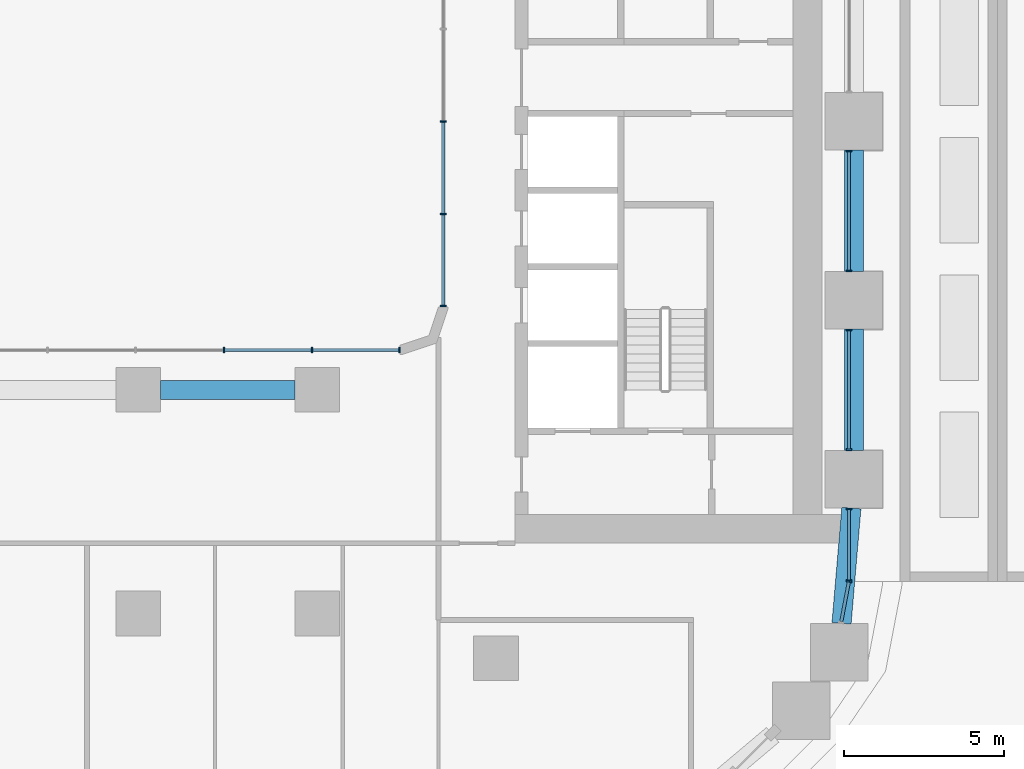
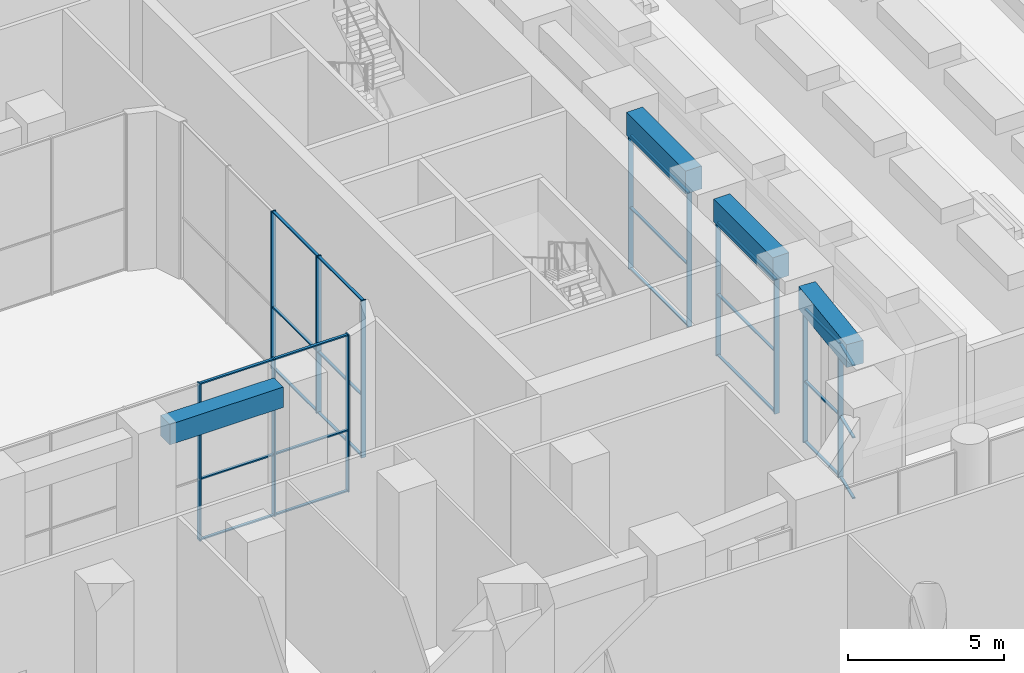
# One storey, part 17 of 51: 37 members, 4 beams, 6 elements without a shape of their own.
"""IFC4 building model written with IfcOpenShell, lengths in metres."""

import ifcopenshell
import ifcopenshell.guid

model = None  # the IFC model being written
_history = None  # IfcOwnerHistory: only IFC2X3 demands one
_inside = {}  # id of a spatial element -> (the spatial element, [elements in it])
_under = {}  # id of a project, library or spatial element -> (it, [spatial elements below it])
_declared = {}  # id of a project -> (the project, [libraries it declares])
_typed = {}  # id of a type object -> (the type object, [elements of that type])
_made_of = {}  # id of a material, layer set ... -> (it, [elements and type objects made of it])


def new_model(schema):
    """Start an empty IFC model of exactly this schema.

    Asked for "IFC4X3", IfcOpenShell would pick the latest addendum, in which some entities
    have other attributes; the version numbers below select the first issue.
    IFC2X3 requires an IfcOwnerHistory on every rooted entity: one is made here for all.
    """
    global model, _history
    if schema == "IFC4X3":
        model = ifcopenshell.file(schema_version=(4, 3, 0, 0))
    else:
        model = ifcopenshell.file(schema=schema)
    _inside.clear()
    _under.clear()
    _declared.clear()
    _typed.clear()
    _made_of.clear()
    _history = None
    if model.schema == "IFC2X3":
        org = make("IfcOrganization", Name="unknown")
        user = make(
            "IfcPersonAndOrganization",
            ThePerson=make("IfcPerson", FamilyName="unknown"),
            TheOrganization=org,
        )
        app = make(
            "IfcApplication",
            ApplicationDeveloper=org,
            Version="unknown",
            ApplicationFullName="unknown",
            ApplicationIdentifier="unknown",
        )
        _history = make(
            "IfcOwnerHistory",
            OwningUser=user,
            OwningApplication=app,
            ChangeAction="ADDED",
            CreationDate=0,
        )
    return model


def make(cls, **values):
    """One entity of the class cls with the attributes given. An attribute that is None is left unset."""
    return model.create_entity(
        cls, **{name: value for name, value in values.items() if value is not None}
    )


def rooted(cls, **values):
    """An entity with a GlobalId (a new one), such as an element, a storey or a relation."""
    return make(cls, GlobalId=ifcopenshell.guid.new(), OwnerHistory=_history, **values)


def si_unit(unit_type, name, prefix=None):
    """IfcSIUnit, for example si_unit("LENGTHUNIT", "METRE", prefix="MILLI")."""
    return make("IfcSIUnit", UnitType=unit_type, Prefix=prefix, Name=name)


def assignment(units):
    """IfcUnitAssignment: the units of a project."""
    return None if units is None else make("IfcUnitAssignment", Units=units)


def point(xyz):
    """IfcCartesianPoint."""
    return None if xyz is None else make("IfcCartesianPoint", Coordinates=xyz)


def direction(xyz):
    """IfcDirection."""
    return None if xyz is None else make("IfcDirection", DirectionRatios=xyz)


def frame(location, z_axis=None, x_axis=None):
    """IfcAxis2Placement3D, a coordinate frame: its origin and axes. An axis left out is left unset."""
    return make(
        "IfcAxis2Placement3D",
        Location=point(location),
        Axis=direction(z_axis),
        RefDirection=direction(x_axis),
    )


def frame_2d(location, x_axis=None):
    """IfcAxis2Placement2D, a coordinate frame in the plane: its origin and x axis."""
    return make(
        "IfcAxis2Placement2D", Location=point(location), RefDirection=direction(x_axis)
    )


def origin():
    """The frame at (0, 0, 0) with its axes left unset."""
    return frame((0.0, 0.0, 0.0))


def origin_2d():
    """The frame at (0, 0) in the plane with its x axis left unset."""
    return frame_2d((0.0, 0.0))


def place(relative_to, where):
    """IfcLocalPlacement: puts the frame where relative to a parent placement (None: the world)."""
    return make(
        "IfcLocalPlacement", PlacementRelTo=relative_to, RelativePlacement=where
    )


def context(
    kind, dimensions, precision=None, world=None, true_north=None, identifier=None
):
    """IfcGeometricRepresentationContext, for example the 3D "Model" context."""
    return make(
        "IfcGeometricRepresentationContext",
        ContextIdentifier=identifier,
        ContextType=kind,
        CoordinateSpaceDimension=dimensions,
        Precision=precision,
        WorldCoordinateSystem=world,
        TrueNorth=true_north,
    )


def subcontext(parent, identifier, kind, view, scale=None):
    """IfcGeometricRepresentationSubContext, for example "Body" below "Model"."""
    return make(
        "IfcGeometricRepresentationSubContext",
        ContextIdentifier=identifier,
        ContextType=kind,
        ParentContext=parent,
        TargetScale=scale,
        TargetView=view,
    )


def project(units=None, contexts=None):
    """IfcProject with its units and contexts."""
    return rooted(
        "IfcProject",
        Name="project",
        RepresentationContexts=contexts,
        UnitsInContext=assignment(units),
    )


def spatial(cls, under=None, at=None, **own):
    """A site, building, storey or space (cls), placed at a placement, below another one or the project."""
    s = rooted(cls, ObjectPlacement=at, **own)
    if under is not None:
        _under.setdefault(under.id(), (under, []))[1].append(s)
    return s


def profile(cls, at=None, kind="AREA", **sizes):
    """A parametric profile (cls). Its sizes go by their IFC names, for example OverallWidth=200.0."""
    return make(cls, ProfileType=kind, Position=at, **sizes)


def rectangle(**sizes):
    """IfcRectangleProfileDef."""
    return profile("IfcRectangleProfileDef", **sizes)


def extrude(swept, where, along, depth):
    """IfcExtrudedAreaSolid: the profile swept, set in the frame where, extruded along a direction by depth."""
    return make(
        "IfcExtrudedAreaSolid",
        SweptArea=swept,
        Position=where,
        ExtrudedDirection=direction(along),
        Depth=depth,
    )


def shape(context_of_items, identifier, shape_type, items):
    """IfcShapeRepresentation: the items that make up one representation, for example the "Body"."""
    return make(
        "IfcShapeRepresentation",
        ContextOfItems=context_of_items,
        RepresentationIdentifier=identifier,
        RepresentationType=shape_type,
        Items=items,
    )


def material(Name=None, Category=None):
    """IfcMaterial."""
    return make("IfcMaterial", Name=Name, Category=Category)


def layer(
    of_material, thickness, ventilated=None, Name=None, Category=None, Priority=None
):
    """IfcMaterialLayer: one layer of a wall or slab, of a material (None: an air gap)."""
    return make(
        "IfcMaterialLayer",
        Material=of_material,
        LayerThickness=thickness,
        IsVentilated=ventilated,
        Name=Name,
        Category=Category,
        Priority=Priority,
    )


def layer_set(layers, Name=None):
    """IfcMaterialLayerSet."""
    return make("IfcMaterialLayerSet", MaterialLayers=layers, LayerSetName=Name)


def material_profile(
    of_material, cross_section, Name=None, Category=None, Priority=None
):
    """IfcMaterialProfile: a cross section and its material."""
    return make(
        "IfcMaterialProfile",
        Name=Name,
        Material=of_material,
        Profile=cross_section,
        Priority=Priority,
        Category=Category,
    )


def profile_set(profiles, Name=None, composite=None):
    """IfcMaterialProfileSet."""
    return make(
        "IfcMaterialProfileSet",
        Name=Name,
        MaterialProfiles=profiles,
        CompositeProfile=composite,
    )


def made_of(thing, what):
    """Note that an element or type object is made of a material, layer set ...; save() writes the relation."""
    if what is not None:
        _made_of.setdefault(what.id(), (what, []))[1].append(thing)
    return thing


def type_object(cls, material=None, **own):
    """A type object (cls), such as IfcWallType, which elements share."""
    return made_of(rooted(cls, **own), material)


def element(
    cls,
    number,
    at=None,
    inside=None,
    cuts=None,
    type_object=None,
    material=None,
    context=None,
    identifier="Body",
    shape_type=None,
    held_by="IfcProductDefinitionShape",
    body=None,
    shapes=None,
    **own,
):
    """One element of the class cls, such as IfcWall. Its Tag is "e" and its number.

    at: its placement. inside: the storey or other place that contains it. cuts: it is an
    opening in that element (IfcRelVoidsElement). A single representation is given by context,
    identifier, shape_type and body (its items); several are given by shapes. held_by: the class
    of the entity that holds the representations. save() writes the other relations.
    """
    e = rooted(cls, Tag="e%d" % number, ObjectPlacement=at, **own)
    if body is not None:
        shapes = [shape(context, identifier, shape_type, body)]
    if shapes is not None:
        e.Representation = make(held_by, Representations=shapes)
    if inside is not None:
        _inside.setdefault(inside.id(), (inside, []))[1].append(e)
    if cuts is not None:
        rooted(
            "IfcRelVoidsElement", RelatingBuildingElement=cuts, RelatedOpeningElement=e
        )
    if type_object is not None:
        _typed.setdefault(type_object.id(), (type_object, []))[1].append(e)
    return made_of(e, material)


def aggregate(whole, parts):
    """IfcRelAggregates: a whole, such as a stair, and the parts it consists of."""
    return rooted("IfcRelAggregates", RelatingObject=whole, RelatedObjects=parts)


def save(model, path):
    """Write the relations noted so far, then the file.

    IfcRelAggregates (storeys below a building ...), IfcRelContainedInSpatialStructure (elements
    in a storey), IfcRelDefinesByType, IfcRelAssociatesMaterial and IfcRelDeclares: one each for
    every whole, place, type object, material and project.
    """
    for whole, parts in _under.values():
        aggregate(whole, parts)
    for where, things in _inside.values():
        rooted(
            "IfcRelContainedInSpatialStructure",
            RelatedElements=things,
            RelatingStructure=where,
        )
    for kind, things in _typed.values():
        rooted("IfcRelDefinesByType", RelatedObjects=things, RelatingType=kind)
    for what, things in _made_of.values():
        rooted("IfcRelAssociatesMaterial", RelatedObjects=things, RelatingMaterial=what)
    for by, libraries in _declared.values():
        rooted("IfcRelDeclares", RelatingContext=by, RelatedDefinitions=libraries)
    model.write(path)


model = new_model("IFC4")

# Units and contexts
model_context = context("Model", 3, precision=1e-05, world=origin(), true_north=direction((0.0, 1.0)))
body_context = subcontext(model_context, "Body", "Model", "MODEL_VIEW")
ifc_project = project(units=[si_unit("LENGTHUNIT", "METRE"), si_unit("AREAUNIT", "SQUARE_METRE"), si_unit("VOLUMEUNIT", "CUBIC_METRE"), si_unit("PLANEANGLEUNIT", "RADIAN"), si_unit("MASSUNIT", "GRAM", prefix="KILO")], contexts=[model_context])

# Site, building, storey
site_placement = place(None, origin())
site = spatial("IfcSite", under=ifc_project, at=site_placement, CompositionType="ELEMENT")
building_placement = place(site_placement, origin())
building = spatial("IfcBuilding", under=site, at=building_placement, Name="Kiln Ring Residences", CompositionType="ELEMENT")
storey_placement = place(building_placement, origin())
storey = spatial("IfcBuildingStorey", under=building, at=storey_placement, Name="L00", CompositionType="ELEMENT", Elevation=0.0)

# Curtain wall, member
ifc_material_1 = material(Name="Aluminium and glass", Category="aluminium")
ifc_layer = layer(ifc_material_1, 0.179931640625)
ifc_layer_set = layer_set([ifc_layer], Name="CW2 CURTAIN WALL")
curtain_wall_type = type_object("IfcCurtainWallType", Name="CW2 CURTAIN WALL", PredefinedType="NOTDEFINED", material=ifc_layer_set)
placement = place(storey_placement, origin())
curtain_wall_1 = element("IfcCurtainWall", 1, at=placement, inside=storey, type_object=curtain_wall_type, Name="Curtain wall CW2 L00", PredefinedType="NOTDEFINED")
ifc_material_2 = material(Name="Aluminium 6063-T6", Category="aluminium")
ifc_material_profile_1 = material_profile(ifc_material_2, rectangle(XDim=0.179931640625, YDim=0.050048828125, at=origin_2d()), Name="AL 180x50")
ifc_profile_set_1 = profile_set([ifc_material_profile_1], Name="Aluminium 6063-T6")
member_type_1 = type_object("IfcMemberType", Name="CW2 MULLION 180 x 50", PredefinedType="MULLION", material=ifc_profile_set_1)
member_1_placement = place(storey_placement, frame((27.847900390625, -14.396484375, 0.0), z_axis=(0.0, 0.0, 1.0), x_axis=(-0.9822902578, 0.187365550279, 0.0)))
member_1 = element("IfcMember", 2, at=member_1_placement, type_object=member_type_1, Name="CW2 mullion 2", PredefinedType="MULLION", context=body_context, shape_type="SweptSolid", body=[
    extrude(rectangle(XDim=0.179931640625, YDim=0.050048828125, at=origin_2d()), origin(), (0.0, 0.0, 1.0), 5.25),
])

# Curtain wall, members
curtain_wall_2 = element("IfcCurtainWall", 3, at=placement, inside=storey, type_object=curtain_wall_type, Name="Curtain wall CW2 L00", PredefinedType="NOTDEFINED")
member_2_placement = place(storey_placement, frame((27.85009765625, -14.375, 0.0), z_axis=(0.0, 0.0, 1.0), x_axis=(-1.0, 0.0, 0.0)))
member_2 = element("IfcMember", 4, at=member_2_placement, type_object=member_type_1, Name="CW2 mullion 1", PredefinedType="MULLION", context=body_context, shape_type="SweptSolid", body=[
    extrude(rectangle(XDim=0.179931640625, YDim=0.050048828125, at=origin_2d()), origin(), (0.0, 0.0, 1.0), 5.25),
])
member_3_placement = place(storey_placement, frame((27.85009765625, -12.125, 0.0), z_axis=(0.0, 0.0, 1.0), x_axis=(-1.0, 0.0, 0.0)))
member_3 = element("IfcMember", 5, at=member_3_placement, type_object=member_type_1, Name="CW2 mullion 2", PredefinedType="MULLION", context=body_context, shape_type="SweptSolid", body=[
    extrude(rectangle(XDim=0.179931640625, YDim=0.050048828125, at=origin_2d()), origin(), (0.0, 0.0, 1.0), 5.25),
])

curtain_wall_3 = element("IfcCurtainWall", 6, at=placement, inside=storey, type_object=curtain_wall_type, Name="Curtain wall CW2 L00", PredefinedType="NOTDEFINED")
member_4_placement = place(storey_placement, frame((27.85009765625, -10.27490234375, 0.0), z_axis=(0.0, 0.0, 1.0), x_axis=(-1.0, 0.0, 0.0)))
member_4 = element("IfcMember", 7, at=member_4_placement, type_object=member_type_1, Name="CW2 mullion 1", PredefinedType="MULLION", context=body_context, shape_type="SweptSolid", body=[
    extrude(rectangle(XDim=0.179931640625, YDim=0.050048828125, at=origin_2d()), origin(), (0.0, 0.0, 1.0), 5.25),
])
member_5_placement = place(storey_placement, frame((27.85009765625, -6.52490234375, 0.0), z_axis=(0.0, 0.0, 1.0), x_axis=(-1.0, 0.0, 0.0)))
member_5 = element("IfcMember", 8, at=member_5_placement, type_object=member_type_1, Name="CW2 mullion 2", PredefinedType="MULLION", context=body_context, shape_type="SweptSolid", body=[
    extrude(rectangle(XDim=0.179931640625, YDim=0.050048828125, at=origin_2d()), origin(), (0.0, 0.0, 1.0), 5.25),
])

curtain_wall_4 = element("IfcCurtainWall", 9, at=placement, inside=storey, type_object=curtain_wall_type, Name="Curtain wall CW2 L00", PredefinedType="NOTDEFINED")
member_6_placement = place(storey_placement, frame((27.85009765625, -4.675048828125, 0.0), z_axis=(0.0, 0.0, 1.0), x_axis=(-1.0, 0.0, 0.0)))
member_6 = element("IfcMember", 10, at=member_6_placement, type_object=member_type_1, Name="CW2 mullion 1", PredefinedType="MULLION", context=body_context, shape_type="SweptSolid", body=[
    extrude(rectangle(XDim=0.179931640625, YDim=0.050048828125, at=origin_2d()), origin(), (0.0, 0.0, 1.0), 5.25),
])
member_7_placement = place(storey_placement, frame((27.85009765625, -0.925048828125, 0.0), z_axis=(0.0, 0.0, 1.0), x_axis=(-1.0, 0.0, 0.0)))
member_7 = element("IfcMember", 11, at=member_7_placement, type_object=member_type_1, Name="CW2 mullion 2", PredefinedType="MULLION", context=body_context, shape_type="SweptSolid", body=[
    extrude(rectangle(XDim=0.179931640625, YDim=0.050048828125, at=origin_2d()), origin(), (0.0, 0.0, 1.0), 5.25),
])

curtain_wall_5 = element("IfcCurtainWall", 12, at=placement, inside=storey, type_object=curtain_wall_type, Name="Curtain wall CW2 L00", PredefinedType="NOTDEFINED")
member_8_placement = place(storey_placement, frame((15.14990234375, 0.0, 0.0), z_axis=(0.0, 0.0, 1.0), x_axis=(1.0, 0.0, 0.0)))
member_8 = element("IfcMember", 13, at=member_8_placement, type_object=member_type_1, Name="CW2 mullion 3", PredefinedType="MULLION", context=body_context, shape_type="SweptSolid", body=[
    extrude(rectangle(XDim=0.179931640625, YDim=0.050048828125, at=origin_2d()), origin(), (0.0, 0.0, 1.0), 6.14990234375),
])
member_9_placement = place(storey_placement, frame((15.14990234375, -2.89990234375, 0.0), z_axis=(0.0, 0.0, 1.0), x_axis=(1.0, 0.0, 0.0)))
member_9 = element("IfcMember", 14, at=member_9_placement, type_object=member_type_1, Name="CW2 mullion 4", PredefinedType="MULLION", context=body_context, shape_type="SweptSolid", body=[
    extrude(rectangle(XDim=0.179931640625, YDim=0.050048828125, at=origin_2d()), origin(), (0.0, 0.0, 1.0), 6.14990234375),
])
member_10_placement = place(storey_placement, frame((15.14990234375, -5.77490234375, 0.0), z_axis=(0.0, 0.0, 1.0), x_axis=(1.0, 0.0, 0.0)))
member_10 = element("IfcMember", 15, at=member_10_placement, type_object=member_type_1, Name="CW2 mullion 5", PredefinedType="MULLION", context=body_context, shape_type="SweptSolid", body=[
    extrude(rectangle(XDim=0.179931640625, YDim=0.050048828125, at=origin_2d()), origin(), (0.0, 0.0, 1.0), 6.14990234375),
])

curtain_wall_6 = element("IfcCurtainWall", 16, at=placement, inside=storey, type_object=curtain_wall_type, Name="Curtain wall CW2 L00", PredefinedType="NOTDEFINED")
member_11_placement = place(storey_placement, frame((13.77490234375, -7.14990234375, 0.0), z_axis=(0.0, 0.0, 1.0), x_axis=(0.0, -1.0, 0.0)))
member_11 = element("IfcMember", 17, at=member_11_placement, type_object=member_type_1, Name="CW2 mullion 1", PredefinedType="MULLION", context=body_context, shape_type="SweptSolid", body=[
    extrude(rectangle(XDim=0.179931640625, YDim=0.050048828125, at=origin_2d()), origin(), (0.0, 0.0, 1.0), 6.14990234375),
])
member_12_placement = place(storey_placement, frame((11.0400390625, -7.14990234375, 0.0), z_axis=(0.0, 0.0, 1.0), x_axis=(0.0, -1.0, 0.0)))
member_12 = element("IfcMember", 18, at=member_12_placement, type_object=member_type_1, Name="CW2 mullion 2", PredefinedType="MULLION", context=body_context, shape_type="SweptSolid", body=[
    extrude(rectangle(XDim=0.179931640625, YDim=0.050048828125, at=origin_2d()), origin(), (0.0, 0.0, 1.0), 6.14990234375),
])
member_13_placement = place(storey_placement, frame((8.280029296875, -7.14990234375, 0.0), z_axis=(0.0, 0.0, 1.0), x_axis=(0.0, -1.0, 0.0)))
member_13 = element("IfcMember", 19, at=member_13_placement, type_object=member_type_1, Name="CW2 mullion 3", PredefinedType="MULLION", context=body_context, shape_type="SweptSolid", body=[
    extrude(rectangle(XDim=0.179931640625, YDim=0.050048828125, at=origin_2d()), origin(), (0.0, 0.0, 1.0), 6.14990234375),
])

# Member
ifc_material_3 = material(Name="Aluminium 6063-T6", Category="aluminium")
ifc_material_profile_2 = material_profile(ifc_material_3, rectangle(XDim=0.10009765625, YDim=0.050048828125, at=origin_2d()), Name="AL 100x50")
ifc_profile_set_2 = profile_set([ifc_material_profile_2], Name="Aluminium 6063-T6")
member_type_2 = type_object("IfcMemberType", Name="CW2 TRANSOM 100 x 50", PredefinedType="USERDEFINED", material=ifc_profile_set_2)
member_14_placement = place(storey_placement, frame((27.60791015625, -15.65478515625, 0.02490234375), z_axis=(0.18736217437, 0.982290901727, 0.0), x_axis=(-0.982290901727, 0.18736217437, 0.0)))
member_14 = element("IfcMember", 20, at=member_14_placement, type_object=member_type_2, Name="CW2 transom 1.1", ObjectType="TRANSOM", PredefinedType="USERDEFINED", context=body_context, shape_type="SweptSolid", body=[
    extrude(rectangle(XDim=0.10009765625, YDim=0.050048828125, at=origin_2d()), origin(), (0.0, 0.0, 1.0), 1.256103515625),
])

member_15_placement = place(storey_placement, frame((27.60791015625, -15.65478515625, 2.39990234375), z_axis=(0.18736217437, 0.982290901727, 0.0), x_axis=(-0.982290901727, 0.18736217437, 0.0)))
member_15 = element("IfcMember", 21, at=member_15_placement, type_object=member_type_2, Name="CW2 transom 1.2", ObjectType="TRANSOM", PredefinedType="USERDEFINED", context=body_context, shape_type="SweptSolid", body=[
    extrude(rectangle(XDim=0.10009765625, YDim=0.050048828125, at=origin_2d()), origin(), (0.0, 0.0, 1.0), 1.256103515625),
])

member_16_placement = place(storey_placement, frame((27.60791015625, -15.65478515625, 5.22509765625), z_axis=(0.18736217437, 0.982290901727, 0.0), x_axis=(-0.982290901727, 0.18736217437, 0.0)))
member_16 = element("IfcMember", 22, at=member_16_placement, type_object=member_type_2, Name="CW2 transom 1.3", ObjectType="TRANSOM", PredefinedType="USERDEFINED", context=body_context, shape_type="SweptSolid", body=[
    extrude(rectangle(XDim=0.10009765625, YDim=0.050048828125, at=origin_2d()), origin(), (0.0, 0.0, 1.0), 1.256103515625),
])

aggregate(curtain_wall_1, [member_1, member_14, member_15, member_16])

member_17_placement = place(storey_placement, frame((27.85009765625, -14.35009765625, 0.02490234375), z_axis=(0.0, 1.0, 0.0), x_axis=(-1.0, 0.0, 0.0)))
member_17 = element("IfcMember", 23, at=member_17_placement, type_object=member_type_2, Name="CW2 transom 1.1", ObjectType="TRANSOM", PredefinedType="USERDEFINED", context=body_context, shape_type="SweptSolid", body=[
    extrude(rectangle(XDim=0.10009765625, YDim=0.050048828125, at=origin_2d()), origin(), (0.0, 0.0, 1.0), 2.2001953125),
])

member_18_placement = place(storey_placement, frame((27.85009765625, -14.35009765625, 2.39990234375), z_axis=(0.0, 1.0, 0.0), x_axis=(-1.0, 0.0, 0.0)))
member_18 = element("IfcMember", 24, at=member_18_placement, type_object=member_type_2, Name="CW2 transom 1.2", ObjectType="TRANSOM", PredefinedType="USERDEFINED", context=body_context, shape_type="SweptSolid", body=[
    extrude(rectangle(XDim=0.10009765625, YDim=0.050048828125, at=origin_2d()), origin(), (0.0, 0.0, 1.0), 2.2001953125),
])

member_19_placement = place(storey_placement, frame((27.85009765625, -14.35009765625, 5.22509765625), z_axis=(0.0, 1.0, 0.0), x_axis=(-1.0, 0.0, 0.0)))
member_19 = element("IfcMember", 25, at=member_19_placement, type_object=member_type_2, Name="CW2 transom 1.3", ObjectType="TRANSOM", PredefinedType="USERDEFINED", context=body_context, shape_type="SweptSolid", body=[
    extrude(rectangle(XDim=0.10009765625, YDim=0.050048828125, at=origin_2d()), origin(), (0.0, 0.0, 1.0), 2.2001953125),
])

aggregate(curtain_wall_2, [member_2, member_3, member_17, member_18, member_19])

member_20_placement = place(storey_placement, frame((27.85009765625, -10.25, 0.02490234375), z_axis=(0.0, 1.0, 0.0), x_axis=(-1.0, 0.0, 0.0)))
member_20 = element("IfcMember", 26, at=member_20_placement, type_object=member_type_2, Name="CW2 transom 1.1", ObjectType="TRANSOM", PredefinedType="USERDEFINED", context=body_context, shape_type="SweptSolid", body=[
    extrude(rectangle(XDim=0.10009765625, YDim=0.050048828125, at=origin_2d()), origin(), (0.0, 0.0, 1.0), 3.699951171875),
])

member_21_placement = place(storey_placement, frame((27.85009765625, -10.25, 2.39990234375), z_axis=(0.0, 1.0, 0.0), x_axis=(-1.0, 0.0, 0.0)))
member_21 = element("IfcMember", 27, at=member_21_placement, type_object=member_type_2, Name="CW2 transom 1.2", ObjectType="TRANSOM", PredefinedType="USERDEFINED", context=body_context, shape_type="SweptSolid", body=[
    extrude(rectangle(XDim=0.10009765625, YDim=0.050048828125, at=origin_2d()), origin(), (0.0, 0.0, 1.0), 3.699951171875),
])

member_22_placement = place(storey_placement, frame((27.85009765625, -10.25, 5.22509765625), z_axis=(0.0, 1.0, 0.0), x_axis=(-1.0, 0.0, 0.0)))
member_22 = element("IfcMember", 28, at=member_22_placement, type_object=member_type_2, Name="CW2 transom 1.3", ObjectType="TRANSOM", PredefinedType="USERDEFINED", context=body_context, shape_type="SweptSolid", body=[
    extrude(rectangle(XDim=0.10009765625, YDim=0.050048828125, at=origin_2d()), origin(), (0.0, 0.0, 1.0), 3.699951171875),
])

aggregate(curtain_wall_3, [member_4, member_5, member_20, member_21, member_22])

member_23_placement = place(storey_placement, frame((27.85009765625, -4.64990234375, 0.02490234375), z_axis=(0.0, 1.0, 0.0), x_axis=(-1.0, 0.0, 0.0)))
member_23 = element("IfcMember", 29, at=member_23_placement, type_object=member_type_2, Name="CW2 transom 1.1", ObjectType="TRANSOM", PredefinedType="USERDEFINED", context=body_context, shape_type="SweptSolid", body=[
    extrude(rectangle(XDim=0.10009765625, YDim=0.050048828125, at=origin_2d()), origin(), (0.0, 0.0, 1.0), 3.699951171875),
])

member_24_placement = place(storey_placement, frame((27.85009765625, -4.64990234375, 2.39990234375), z_axis=(0.0, 1.0, 0.0), x_axis=(-1.0, 0.0, 0.0)))
member_24 = element("IfcMember", 30, at=member_24_placement, type_object=member_type_2, Name="CW2 transom 1.2", ObjectType="TRANSOM", PredefinedType="USERDEFINED", context=body_context, shape_type="SweptSolid", body=[
    extrude(rectangle(XDim=0.10009765625, YDim=0.050048828125, at=origin_2d()), origin(), (0.0, 0.0, 1.0), 3.699951171875),
])

member_25_placement = place(storey_placement, frame((27.85009765625, -4.64990234375, 5.22509765625), z_axis=(0.0, 1.0, 0.0), x_axis=(-1.0, 0.0, 0.0)))
member_25 = element("IfcMember", 31, at=member_25_placement, type_object=member_type_2, Name="CW2 transom 1.3", ObjectType="TRANSOM", PredefinedType="USERDEFINED", context=body_context, shape_type="SweptSolid", body=[
    extrude(rectangle(XDim=0.10009765625, YDim=0.050048828125, at=origin_2d()), origin(), (0.0, 0.0, 1.0), 3.699951171875),
])

aggregate(curtain_wall_4, [member_6, member_7, member_23, member_24, member_25])

member_26_placement = place(storey_placement, frame((15.14990234375, -0.02490234375, 0.02490234375), z_axis=(0.0, -1.0, 0.0), x_axis=(1.0, 0.0, 0.0)))
member_26 = element("IfcMember", 32, at=member_26_placement, type_object=member_type_2, Name="CW2 transom 3.1", ObjectType="TRANSOM", PredefinedType="USERDEFINED", context=body_context, shape_type="SweptSolid", body=[
    extrude(rectangle(XDim=0.10009765625, YDim=0.050048828125, at=origin_2d()), origin(), (0.0, 0.0, 1.0), 2.85009765625),
])

member_27_placement = place(storey_placement, frame((15.14990234375, -0.02490234375, 2.39990234375), z_axis=(0.0, -1.0, 0.0), x_axis=(1.0, 0.0, 0.0)))
member_27 = element("IfcMember", 33, at=member_27_placement, type_object=member_type_2, Name="CW2 transom 3.2", ObjectType="TRANSOM", PredefinedType="USERDEFINED", context=body_context, shape_type="SweptSolid", body=[
    extrude(rectangle(XDim=0.10009765625, YDim=0.050048828125, at=origin_2d()), origin(), (0.0, 0.0, 1.0), 2.85009765625),
])

member_28_placement = place(storey_placement, frame((15.14990234375, -0.02490234375, 6.125), z_axis=(0.0, -1.0, 0.0), x_axis=(1.0, 0.0, 0.0)))
member_28 = element("IfcMember", 34, at=member_28_placement, type_object=member_type_2, Name="CW2 transom 3.3", ObjectType="TRANSOM", PredefinedType="USERDEFINED", context=body_context, shape_type="SweptSolid", body=[
    extrude(rectangle(XDim=0.10009765625, YDim=0.050048828125, at=origin_2d()), origin(), (0.0, 0.0, 1.0), 2.85009765625),
])

member_29_placement = place(storey_placement, frame((15.14990234375, -2.925048828125, 0.02490234375), z_axis=(0.0, -1.0, 0.0), x_axis=(1.0, 0.0, 0.0)))
member_29 = element("IfcMember", 35, at=member_29_placement, type_object=member_type_2, Name="CW2 transom 4.1", ObjectType="TRANSOM", PredefinedType="USERDEFINED", context=body_context, shape_type="SweptSolid", body=[
    extrude(rectangle(XDim=0.10009765625, YDim=0.050048828125, at=origin_2d()), origin(), (0.0, 0.0, 1.0), 2.824951171875),
])

member_30_placement = place(storey_placement, frame((15.14990234375, -2.925048828125, 2.39990234375), z_axis=(0.0, -1.0, 0.0), x_axis=(1.0, 0.0, 0.0)))
member_30 = element("IfcMember", 36, at=member_30_placement, type_object=member_type_2, Name="CW2 transom 4.2", ObjectType="TRANSOM", PredefinedType="USERDEFINED", context=body_context, shape_type="SweptSolid", body=[
    extrude(rectangle(XDim=0.10009765625, YDim=0.050048828125, at=origin_2d()), origin(), (0.0, 0.0, 1.0), 2.824951171875),
])

member_31_placement = place(storey_placement, frame((15.14990234375, -2.925048828125, 6.125), z_axis=(0.0, -1.0, 0.0), x_axis=(1.0, 0.0, 0.0)))
member_31 = element("IfcMember", 37, at=member_31_placement, type_object=member_type_2, Name="CW2 transom 4.3", ObjectType="TRANSOM", PredefinedType="USERDEFINED", context=body_context, shape_type="SweptSolid", body=[
    extrude(rectangle(XDim=0.10009765625, YDim=0.050048828125, at=origin_2d()), origin(), (0.0, 0.0, 1.0), 2.824951171875),
])

aggregate(curtain_wall_5, [member_8, member_9, member_10, member_26, member_27, member_28, member_29, member_30, member_31])

member_32_placement = place(storey_placement, frame((13.75, -7.14990234375, 0.02490234375), z_axis=(-1.0, 0.0, 0.0), x_axis=(0.0, -1.0, 0.0)))
member_32 = element("IfcMember", 38, at=member_32_placement, type_object=member_type_2, Name="CW2 transom 1.1", ObjectType="TRANSOM", PredefinedType="USERDEFINED", context=body_context, shape_type="SweptSolid", body=[
    extrude(rectangle(XDim=0.10009765625, YDim=0.050048828125, at=origin_2d()), origin(), (0.0, 0.0, 1.0), 2.68505859375),
])

member_33_placement = place(storey_placement, frame((13.75, -7.14990234375, 2.39990234375), z_axis=(-1.0, 0.0, 0.0), x_axis=(0.0, -1.0, 0.0)))
member_33 = element("IfcMember", 39, at=member_33_placement, type_object=member_type_2, Name="CW2 transom 1.2", ObjectType="TRANSOM", PredefinedType="USERDEFINED", context=body_context, shape_type="SweptSolid", body=[
    extrude(rectangle(XDim=0.10009765625, YDim=0.050048828125, at=origin_2d()), origin(), (0.0, 0.0, 1.0), 2.68505859375),
])

member_34_placement = place(storey_placement, frame((13.75, -7.14990234375, 6.125), z_axis=(-1.0, 0.0, 0.0), x_axis=(0.0, -1.0, 0.0)))
member_34 = element("IfcMember", 40, at=member_34_placement, type_object=member_type_2, Name="CW2 transom 1.3", ObjectType="TRANSOM", PredefinedType="USERDEFINED", context=body_context, shape_type="SweptSolid", body=[
    extrude(rectangle(XDim=0.10009765625, YDim=0.050048828125, at=origin_2d()), origin(), (0.0, 0.0, 1.0), 2.68505859375),
])

member_35_placement = place(storey_placement, frame((11.014892578125, -7.14990234375, 0.02490234375), z_axis=(-1.0, 0.0, 0.0), x_axis=(0.0, -1.0, 0.0)))
member_35 = element("IfcMember", 41, at=member_35_placement, type_object=member_type_2, Name="CW2 transom 2.1", ObjectType="TRANSOM", PredefinedType="USERDEFINED", context=body_context, shape_type="SweptSolid", body=[
    extrude(rectangle(XDim=0.10009765625, YDim=0.050048828125, at=origin_2d()), origin(), (0.0, 0.0, 1.0), 2.7099609375),
])

member_36_placement = place(storey_placement, frame((11.014892578125, -7.14990234375, 2.39990234375), z_axis=(-1.0, 0.0, 0.0), x_axis=(0.0, -1.0, 0.0)))
member_36 = element("IfcMember", 42, at=member_36_placement, type_object=member_type_2, Name="CW2 transom 2.2", ObjectType="TRANSOM", PredefinedType="USERDEFINED", context=body_context, shape_type="SweptSolid", body=[
    extrude(rectangle(XDim=0.10009765625, YDim=0.050048828125, at=origin_2d()), origin(), (0.0, 0.0, 1.0), 2.7099609375),
])

member_37_placement = place(storey_placement, frame((11.014892578125, -7.14990234375, 6.125), z_axis=(-1.0, 0.0, 0.0), x_axis=(0.0, -1.0, 0.0)))
member_37 = element("IfcMember", 43, at=member_37_placement, type_object=member_type_2, Name="CW2 transom 2.3", ObjectType="TRANSOM", PredefinedType="USERDEFINED", context=body_context, shape_type="SweptSolid", body=[
    extrude(rectangle(XDim=0.10009765625, YDim=0.050048828125, at=origin_2d()), origin(), (0.0, 0.0, 1.0), 2.7099609375),
])

aggregate(curtain_wall_6, [member_11, member_12, member_13, member_32, member_33, member_34, member_35, member_36, member_37])

# Beams
ifc_material_4 = material(Name="Concrete C50/60", Category="concrete")
ifc_material_profile_3 = material_profile(ifc_material_4, rectangle(XDim=0.60009765625, YDim=0.800048828125, at=origin_2d()), Name="RC600x800")
ifc_profile_set_3 = profile_set([ifc_material_profile_3], Name="Concrete C50/60")
beam_type_1 = type_object("IfcBeamType", Name="Ring beam RC600x800 C50/60", PredefinedType="BEAM", material=ifc_profile_set_3)
beam_1_placement = place(storey_placement, frame((6.300048828125, -8.39990234375, 5.75), z_axis=(1.0, 0.0, 0.0), x_axis=(0.0, 1.0, 0.0)))
element("IfcBeam", 44, at=beam_1_placement, inside=storey, type_object=beam_type_1, Name="Ring beam L00 32", PredefinedType="BEAM", context=body_context, shape_type="SweptSolid", body=[
    extrude(rectangle(XDim=0.60009765625, YDim=0.800048828125, at=origin_2d()), origin(), (0.0, 0.0, 1.0), 4.199951171875),
])
ifc_material_5 = material(Name="Concrete C50/60", Category="concrete")
ifc_material_profile_4 = material_profile(ifc_material_5, rectangle(XDim=0.60009765625, YDim=0.89990234375, at=origin_2d()), Name="RC600x900")
ifc_profile_set_4 = profile_set([ifc_material_profile_4], Name="Concrete C50/60")
beam_type_2 = type_object("IfcBeamType", Name="Spandrel beam RC600x900 C50/60", PredefinedType="SPANDREL", material=ifc_profile_set_4)
beam_2_placement = place(storey_placement, frame((27.614990234375, -15.708740234375, 5.699951171875), z_axis=(0.085070372843, 0.996374945321, 0.0), x_axis=(-0.996374945321, 0.085070372843, 0.0)))
element("IfcBeam", 45, at=beam_2_placement, inside=storey, type_object=beam_type_2, Name="Spandrel beam L00 10", PredefinedType="SPANDREL", context=body_context, shape_type="SweptSolid", body=[
    extrude(rectangle(XDim=0.60009765625, YDim=0.89990234375, at=origin_2d()), origin(), (0.0, 0.0, 1.0), 3.621826171875),
])
for number, where, z_axis, x_axis, name in (
    (46, (28.0, -10.300048828125, 5.699951171875), (0.0, 1.0, 0.0), (-1.0, 0.0, 0.0), "Spandrel beam L00 11"),
    (47, (28.0, -4.699951171875, 5.699951171875), (0.0, 1.0, 0.0), (-1.0, 0.0, 0.0), "Spandrel beam L00 12"),
):
    element("IfcBeam", number, at=place(storey_placement, frame(where, z_axis=z_axis, x_axis=x_axis)), inside=storey, type_object=beam_type_2, Name=name, PredefinedType="SPANDREL", context=body_context, shape_type="SweptSolid", body=[
        extrude(rectangle(XDim=0.60009765625, YDim=0.89990234375, at=origin_2d()), origin(), (0.0, 0.0, 1.0), 3.800048828125),
    ])

save(model, "model.ifc")
